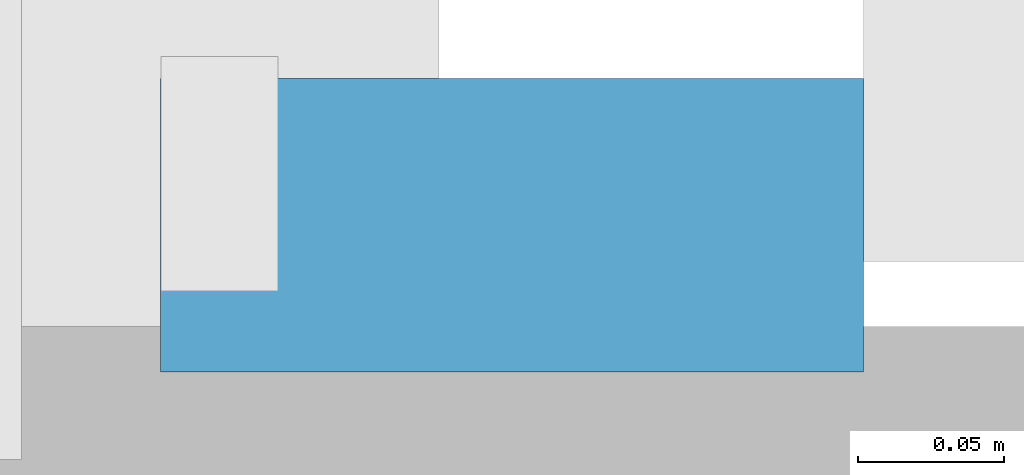
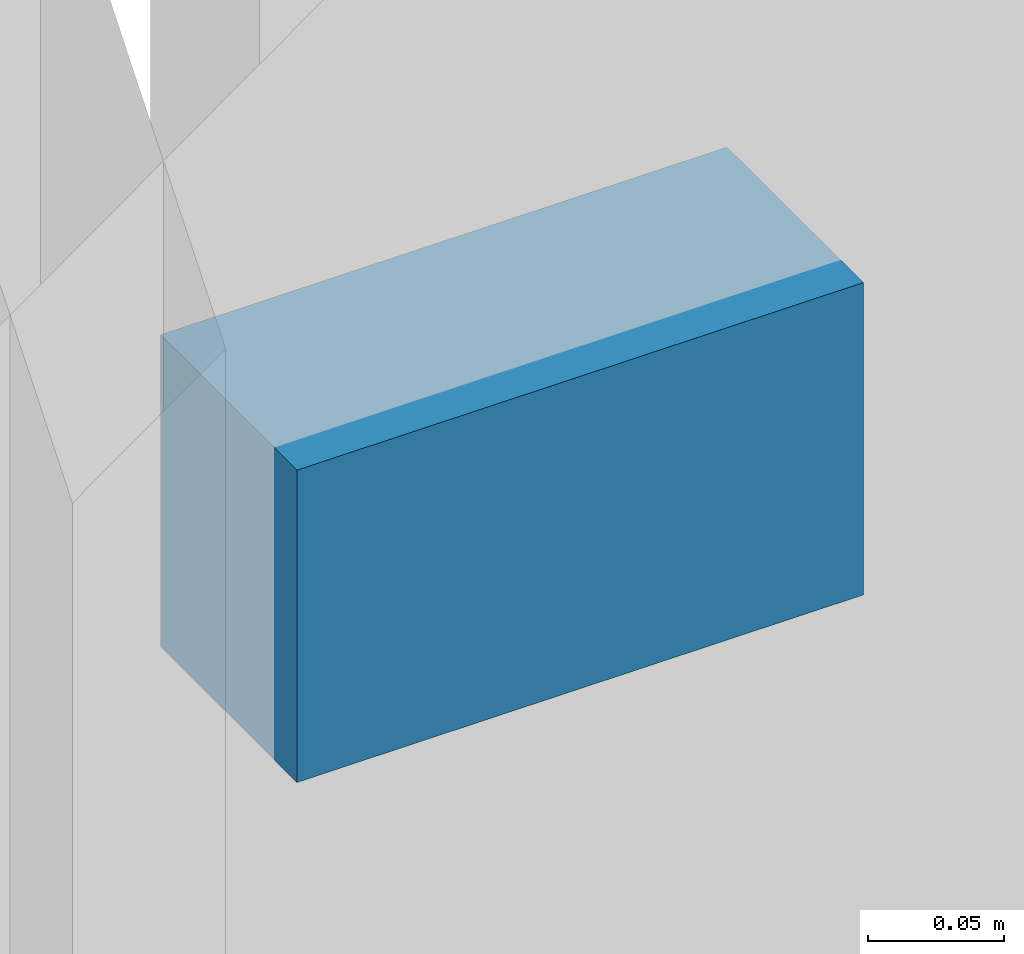
# One storey, part 20 of 35: 1 discrete accessory.
"""IFC4 building model written with IfcOpenShell, lengths in metres."""

from ifc_helpers import new_model, si_unit, direction, frame, origin, origin_2d, place, context, subcontext, project, spatial, rectangle, extrude, material, type_object, element, save


model = new_model("IFC4")

# Units and contexts
model_context = context("Model", 3, precision=1e-05, world=origin(), true_north=direction((0.0, 1.0)))
body_context = subcontext(model_context, "Body", "Model", "MODEL_VIEW")
ifc_project = project(units=[si_unit("LENGTHUNIT", "METRE"), si_unit("AREAUNIT", "SQUARE_METRE"), si_unit("VOLUMEUNIT", "CUBIC_METRE"), si_unit("PLANEANGLEUNIT", "RADIAN"), si_unit("MASSUNIT", "GRAM", prefix="KILO")], contexts=[model_context])

# Site, building, storey
site_placement = place(None, origin())
site = spatial("IfcSite", under=ifc_project, at=site_placement, CompositionType="ELEMENT")
building_placement = place(site_placement, origin())
building = spatial("IfcBuilding", under=site, at=building_placement, Name="Telukmera Botanical Conservatory", CompositionType="ELEMENT")
storey_placement = place(building_placement, frame((0.0, 0.0, 28.5)))
storey = spatial("IfcBuildingStorey", under=building, at=storey_placement, Name="L06", CompositionType="ELEMENT", Elevation=28.5)

# Discrete accessory
ifc_material = material(Name="Steel S355", Category="steel")
discrete_accessory_type = type_object("IfcDiscreteAccessoryType", Name="Structural Steel Facade Outrigger Fin Bracket", PredefinedType="BRACKET", material=ifc_material)
discrete_accessory_placement = place(storey_placement, frame((109.39990234375, 34.83447265625, 0.8798828125), z_axis=(0.0, 0.0, 1.0), x_axis=(0.0, 1.0, 0.0)))
element("IfcDiscreteAccessory", 1, at=discrete_accessory_placement, inside=storey, type_object=discrete_accessory_type, Name="Facade Outrigger Bracket V4:L06:E4 A", PredefinedType="BRACKET", context=body_context, shape_type="SweptSolid", body=[
    extrude(rectangle(XDim=0.10009765625, YDim=0.239990234375, at=origin_2d()), origin(), (0.0, 0.0, 1.0), 0.139892578125),
])

save(model, "model.ifc")
